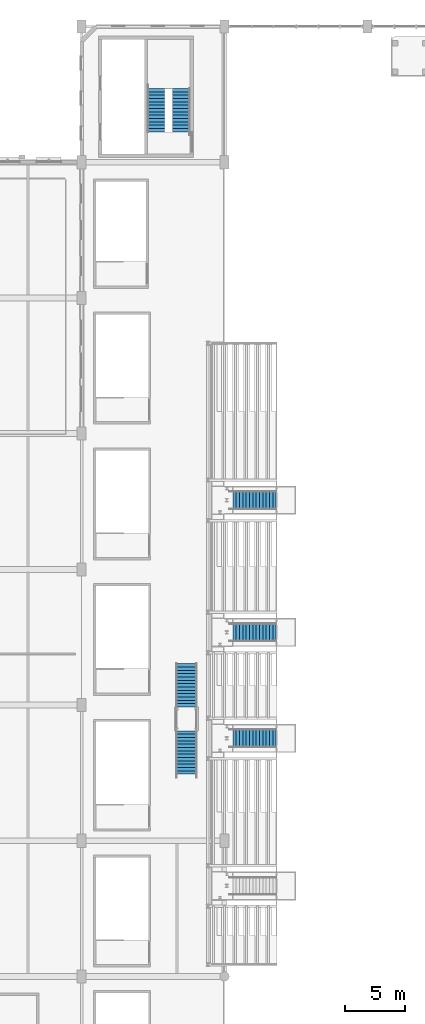
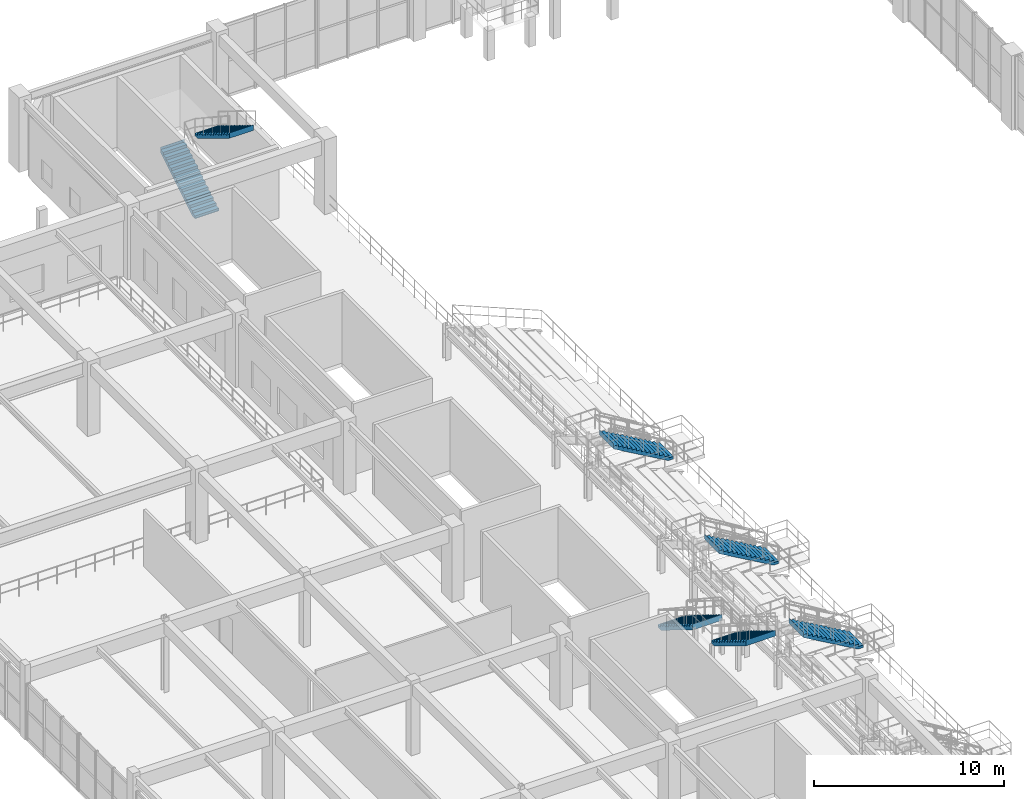
# One storey, part 90 of 106: 7 stair flights, 5 elements without a shape of their own.
"""IFC4 building model written with IfcOpenShell, lengths in metres."""

from ifc_helpers import new_model, si_unit, direction, frame, origin, place, context, subcontext, project, spatial, polyline, outline, extrude, material, type_object, element, aggregate, save


model = new_model("IFC4")

# Units and contexts
model_context = context("Model", 3, precision=1e-05, world=origin(), true_north=direction((0.0, 1.0)))
body_context = subcontext(model_context, "Body", "Model", "MODEL_VIEW")
ifc_project = project(units=[si_unit("LENGTHUNIT", "METRE"), si_unit("AREAUNIT", "SQUARE_METRE"), si_unit("VOLUMEUNIT", "CUBIC_METRE"), si_unit("PLANEANGLEUNIT", "RADIAN"), si_unit("MASSUNIT", "GRAM", prefix="KILO"), si_unit("POWERUNIT", "WATT"), si_unit("THERMODYNAMICTEMPERATUREUNIT", "KELVIN")], contexts=[model_context])

# Site, building, storey
site_placement = place(None, origin())
site = spatial("IfcSite", under=ifc_project, at=site_placement, CompositionType="ELEMENT")
building_placement = place(site_placement, origin())
building = spatial("IfcBuilding", under=site, at=building_placement, Name="Kelmbourne Parkland Aquatics Centre", CompositionType="ELEMENT")
storey_placement = place(building_placement, frame((0.0, 0.0, 5.39990234375)))
storey = spatial("IfcBuildingStorey", under=building, at=storey_placement, Name="L01", CompositionType="ELEMENT", Elevation=5.39990234375)

# Stair, stair flights
ifc_material = material(Name="Concrete C40/50", Category="concrete")
stair_type_1 = type_object("IfcStairType", Name="ST-FS02", PredefinedType="TWO_STRAIGHT_RUN_STAIR", material=ifc_material)
stair_1_placement = place(storey_placement, origin())
stair_1 = element("IfcStair", 1, at=stair_1_placement, inside=storey, type_object=stair_type_1, Name="Broadcast Gallery Concourse Feature Stair", PredefinedType="TWO_STRAIGHT_RUN_STAIR")
stair_flight_type_1 = type_object("IfcStairFlightType", Name="STF-FS02", PredefinedType="STRAIGHT", material=ifc_material)
stair_flight_1_placement = place(storey_placement, frame((136.800048828125, 61.280029296875, 0.0), z_axis=(0.0, 0.0, 1.0), x_axis=(0.0, -1.0, 0.0)))
stair_flight_1 = element("IfcStairFlight", 2, at=stair_flight_1_placement, type_object=stair_flight_type_1, Name="FS02 lower flight", NumberOfRisers=14, NumberOfTreads=13, PredefinedType="STRAIGHT", RiserHeight=0.171428571, TreadLength=0.28, context=body_context, shape_type="SweptSolid", body=[
    extrude(outline(polyline([(-0.008056640625, 0.0), (-0.008056640625, 0.034912109375), (0.0, 0.034912109375), (0.0, 0.17138671875), (0.280029296875, 0.17138671875), (0.280029296875, 0.3427734375), (0.56005859375, 0.3427734375), (0.56005859375, 0.514404296875), (0.840087890625, 0.514404296875), (0.840087890625, 0.685791015625), (1.1201171875, 0.685791015625), (1.1201171875, 0.857177734375), (1.39990234375, 0.857177734375), (1.39990234375, 1.028564453125), (1.679931640625, 1.028564453125), (1.679931640625, 1.199951171875), (1.9599609375, 1.199951171875), (1.9599609375, 1.371337890625), (2.239990234375, 1.371337890625), (2.239990234375, 1.54296875), (2.52001953125, 1.54296875), (2.52001953125, 1.71435546875), (2.800048828125, 1.71435546875), (2.800048828125, 1.8857421875), (3.080078125, 1.8857421875), (3.080078125, 2.05712890625), (3.360107421875, 2.05712890625), (3.360107421875, 2.228515625), (3.639892578125, 2.228515625), (3.639892578125, 2.39990234375), (3.64794921875, 2.39990234375), (3.64794921875, 2.260009765625), (3.639892578125, 2.017578125), (0.344482421875, 0.0), (-0.008056640625, 0.0)])), frame((0.0, 0.89990234375, 0.0), z_axis=(0.0, -1.0, 0.0), x_axis=(1.0, 0.0, 0.0)), (0.0, 0.0, 1.0), 1.800048828125),
])
stair_flight_2_placement = place(storey_placement, frame((136.800048828125, 55.639892578125, 2.400146484375), z_axis=(0.0, 0.0, 1.0), x_axis=(0.0, -1.0, 0.0)))
stair_flight_2 = element("IfcStairFlight", 3, at=stair_flight_2_placement, type_object=stair_flight_type_1, Name="FS02 upper flight", NumberOfRisers=14, NumberOfTreads=13, PredefinedType="STRAIGHT", RiserHeight=0.171428571, TreadLength=0.28, context=body_context, shape_type="SweptSolid", body=[
    extrude(outline(polyline([(-0.008056640625, 0.0), (-0.008056640625, 0.034912109375), (0.0, 0.034912109375), (0.0, 0.17138671875), (0.280029296875, 0.17138671875), (0.280029296875, 0.3427734375), (0.56005859375, 0.3427734375), (0.56005859375, 0.514404296875), (0.840087890625, 0.514404296875), (0.840087890625, 0.685791015625), (1.1201171875, 0.685791015625), (1.1201171875, 0.857177734375), (1.39990234375, 0.857177734375), (1.39990234375, 1.028564453125), (1.679931640625, 1.028564453125), (1.679931640625, 1.199951171875), (1.9599609375, 1.199951171875), (1.9599609375, 1.371337890625), (2.239990234375, 1.371337890625), (2.239990234375, 1.54296875), (2.52001953125, 1.54296875), (2.52001953125, 1.71435546875), (2.800048828125, 1.71435546875), (2.800048828125, 1.8857421875), (3.080078125, 1.8857421875), (3.080078125, 2.05712890625), (3.360107421875, 2.05712890625), (3.360107421875, 2.228515625), (3.639892578125, 2.228515625), (3.639892578125, 2.39990234375), (3.64794921875, 2.39990234375), (3.64794921875, 2.260009765625), (3.639892578125, 2.017578125), (0.344482421875, 0.0), (-0.008056640625, 0.0)])), frame((0.0, 0.89990234375, 0.0), z_axis=(0.0, -1.0, 0.0), x_axis=(1.0, 0.0, 0.0)), (0.0, 0.0, 1.0), 1.800048828125),
])
aggregate(stair_1, [stair_flight_1, stair_flight_2])

stair_type_2 = type_object("IfcStairType", Name="ST-T17", PredefinedType="HALF_TURN_STAIR", material=ifc_material)
stair_2_placement = place(storey_placement, origin())
stair_2 = element("IfcStair", 4, at=stair_2_placement, inside=storey, type_object=stair_type_2, Name="North Diving Control Fire-Fighting Core Stair ST05 (L01)", PredefinedType="HALF_TURN_STAIR")
stair_flight_type_2 = type_object("IfcStairFlightType", Name="STF-T17", PredefinedType="STRAIGHT", material=ifc_material)
stair_flight_3_placement = place(storey_placement, frame((134.27001953125, 105.949951171875, 0.0), z_axis=(0.0, 0.0, 1.0), x_axis=(0.0, 1.0, 0.0)))
stair_flight_3 = element("IfcStairFlight", 5, at=stair_flight_3_placement, type_object=stair_flight_type_2, Name="North Diving Control Fire-Fighting Core Stair ST05 lower flight (L01)", NumberOfRisers=14, NumberOfTreads=13, PredefinedType="STRAIGHT", RiserHeight=0.171429, TreadLength=0.28, context=body_context, shape_type="SweptSolid", body=[
    extrude(outline(polyline([(-0.008056640625, 0.0), (-0.008056640625, 0.034912109375), (0.0, 0.034912109375), (0.0, 0.17138671875), (0.280029296875, 0.17138671875), (0.280029296875, 0.3427734375), (0.56005859375, 0.3427734375), (0.56005859375, 0.514404296875), (0.840087890625, 0.514404296875), (0.840087890625, 0.685791015625), (1.1201171875, 0.685791015625), (1.1201171875, 0.857177734375), (1.39990234375, 0.857177734375), (1.39990234375, 1.028564453125), (1.679931640625, 1.028564453125), (1.679931640625, 1.199951171875), (1.9599609375, 1.199951171875), (1.9599609375, 1.371337890625), (2.239990234375, 1.371337890625), (2.239990234375, 1.54296875), (2.52001953125, 1.54296875), (2.52001953125, 1.71435546875), (2.800048828125, 1.71435546875), (2.800048828125, 1.8857421875), (3.080078125, 1.8857421875), (3.080078125, 2.05712890625), (3.360107421875, 2.05712890625), (3.360107421875, 2.228515625), (3.639892578125, 2.228515625), (3.639892578125, 2.39990234375), (3.64794921875, 2.39990234375), (3.64794921875, 2.260009765625), (3.639892578125, 2.041015625), (0.30615234375, 0.0), (-0.008056640625, 0.0)])), frame((0.0, 0.72509765625, 0.0), z_axis=(0.0, -1.0, 0.0), x_axis=(1.0, 0.0, 0.0)), (0.0, 0.0, 1.0), 1.449951171875),
])
stair_flight_4_placement = place(storey_placement, frame((136.35498046875, 109.590087890625, 2.400146484375), z_axis=(0.0, 0.0, 1.0), x_axis=(0.0, -1.0, 0.0)))
stair_flight_4 = element("IfcStairFlight", 6, at=stair_flight_4_placement, type_object=stair_flight_type_2, Name="North Diving Control Fire-Fighting Core Stair ST05 upper flight (L01)", NumberOfRisers=14, NumberOfTreads=13, PredefinedType="STRAIGHT", RiserHeight=0.171429, TreadLength=0.28, context=body_context, shape_type="SweptSolid", body=[
    extrude(outline(polyline([(-0.008056640625, 0.0), (-0.008056640625, 0.034912109375), (0.0, 0.034912109375), (0.0, 0.17138671875), (0.280029296875, 0.17138671875), (0.280029296875, 0.3427734375), (0.56005859375, 0.3427734375), (0.56005859375, 0.514404296875), (0.840087890625, 0.514404296875), (0.840087890625, 0.685791015625), (1.1201171875, 0.685791015625), (1.1201171875, 0.857177734375), (1.39990234375, 0.857177734375), (1.39990234375, 1.028564453125), (1.679931640625, 1.028564453125), (1.679931640625, 1.199951171875), (1.9599609375, 1.199951171875), (1.9599609375, 1.371337890625), (2.239990234375, 1.371337890625), (2.239990234375, 1.54296875), (2.52001953125, 1.54296875), (2.52001953125, 1.71435546875), (2.800048828125, 1.71435546875), (2.800048828125, 1.8857421875), (3.080078125, 1.8857421875), (3.080078125, 2.05712890625), (3.360107421875, 2.05712890625), (3.360107421875, 2.228515625), (3.639892578125, 2.228515625), (3.639892578125, 2.39990234375), (3.64794921875, 2.39990234375), (3.64794921875, 2.260009765625), (3.639892578125, 2.041015625), (0.30615234375, 0.0), (-0.008056640625, 0.0)])), frame((0.0, 0.72509765625, 0.0), z_axis=(0.0, -1.0, 0.0), x_axis=(1.0, 0.0, 0.0)), (0.0, 0.0, 1.0), 1.449951171875),
])
aggregate(stair_2, [stair_flight_3, stair_flight_4])

# Stair, stair flight
stair_type_3 = type_object("IfcStairType", Name="ST-VM02", PredefinedType="STRAIGHT_RUN_STAIR", material=ifc_material)
stair_3_placement = place(storey_placement, origin())
stair_3 = element("IfcStair", 7, at=stair_3_placement, inside=storey, type_object=stair_type_3, Name="Spectator Vomitory Stair 2", PredefinedType="STRAIGHT_RUN_STAIR")
stair_flight_type_3 = type_object("IfcStairFlightType", Name="STF-VM02", PredefinedType="STRAIGHT", material=ifc_material)
stair_flight_5_placement = place(storey_placement, frame((144.340087890625, 55.0, 0.0), z_axis=(0.0, 0.0, 1.0), x_axis=(-1.0, 0.0, 0.0)))
stair_flight_5 = element("IfcStairFlight", 8, at=stair_flight_5_placement, type_object=stair_flight_type_3, Name="Spectator Vomitory Stair 2 flight", NumberOfRisers=14, NumberOfTreads=13, PredefinedType="STRAIGHT", RiserHeight=0.160714, TreadLength=0.28, context=body_context, shape_type="SweptSolid", body=[
    extrude(outline(polyline([(-0.008056640625, 0.0), (-0.008056640625, 0.034912109375), (0.0, 0.034912109375), (0.0, 0.16064453125), (0.280029296875, 0.16064453125), (0.280029296875, 0.321533203125), (0.56005859375, 0.321533203125), (0.56005859375, 0.482177734375), (0.840087890625, 0.482177734375), (0.840087890625, 0.642822265625), (1.1201171875, 0.642822265625), (1.1201171875, 0.803466796875), (1.39990234375, 0.803466796875), (1.39990234375, 0.96435546875), (1.679931640625, 0.96435546875), (1.679931640625, 1.125), (1.9599609375, 1.125), (1.9599609375, 1.28564453125), (2.239990234375, 1.28564453125), (2.239990234375, 1.446533203125), (2.52001953125, 1.446533203125), (2.52001953125, 1.607177734375), (2.800048828125, 1.607177734375), (2.800048828125, 1.767822265625), (3.080078125, 1.767822265625), (3.080078125, 1.928466796875), (3.360107421875, 1.928466796875), (3.360107421875, 2.08935546875), (3.639892578125, 2.08935546875), (3.639892578125, 2.25), (3.64794921875, 2.25), (3.64794921875, 2.110107421875), (3.639892578125, 1.90478515625), (0.3212890625, 0.0), (-0.008056640625, 0.0)])), frame((0.0, 0.75, 0.0), z_axis=(0.0, -1.0, 0.0), x_axis=(1.0, 0.0, 0.0)), (0.0, 0.0, 1.0), 1.5),
])
aggregate(stair_3, [stair_flight_5])

stair_type_4 = type_object("IfcStairType", Name="ST-VM03", PredefinedType="STRAIGHT_RUN_STAIR", material=ifc_material)
stair_4_placement = place(storey_placement, origin())
stair_4 = element("IfcStair", 9, at=stair_4_placement, inside=storey, type_object=stair_type_4, Name="Spectator Vomitory Stair 3", PredefinedType="STRAIGHT_RUN_STAIR")
stair_flight_type_4 = type_object("IfcStairFlightType", Name="STF-VM03", PredefinedType="STRAIGHT", material=ifc_material)
stair_flight_6_placement = place(storey_placement, frame((144.340087890625, 63.89990234375, 0.0), z_axis=(0.0, 0.0, 1.0), x_axis=(-1.0, 0.0, 0.0)))
stair_flight_6 = element("IfcStairFlight", 10, at=stair_flight_6_placement, type_object=stair_flight_type_4, Name="Spectator Vomitory Stair 3 flight", NumberOfRisers=14, NumberOfTreads=13, PredefinedType="STRAIGHT", RiserHeight=0.160714, TreadLength=0.28, context=body_context, shape_type="SweptSolid", body=[
    extrude(outline(polyline([(-0.008056640625, 0.0), (-0.008056640625, 0.034912109375), (0.0, 0.034912109375), (0.0, 0.16064453125), (0.280029296875, 0.16064453125), (0.280029296875, 0.321533203125), (0.56005859375, 0.321533203125), (0.56005859375, 0.482177734375), (0.840087890625, 0.482177734375), (0.840087890625, 0.642822265625), (1.1201171875, 0.642822265625), (1.1201171875, 0.803466796875), (1.39990234375, 0.803466796875), (1.39990234375, 0.96435546875), (1.679931640625, 0.96435546875), (1.679931640625, 1.125), (1.9599609375, 1.125), (1.9599609375, 1.28564453125), (2.239990234375, 1.28564453125), (2.239990234375, 1.446533203125), (2.52001953125, 1.446533203125), (2.52001953125, 1.607177734375), (2.800048828125, 1.607177734375), (2.800048828125, 1.767822265625), (3.080078125, 1.767822265625), (3.080078125, 1.928466796875), (3.360107421875, 1.928466796875), (3.360107421875, 2.08935546875), (3.639892578125, 2.08935546875), (3.639892578125, 2.25), (3.64794921875, 2.25), (3.64794921875, 2.110107421875), (3.639892578125, 1.90478515625), (0.3212890625, 0.0), (-0.008056640625, 0.0)])), frame((0.0, 0.75, 0.0), z_axis=(0.0, -1.0, 0.0), x_axis=(1.0, 0.0, 0.0)), (0.0, 0.0, 1.0), 1.5),
])
aggregate(stair_4, [stair_flight_6])

stair_type_5 = type_object("IfcStairType", Name="ST-VM04", PredefinedType="STRAIGHT_RUN_STAIR", material=ifc_material)
stair_5_placement = place(storey_placement, origin())
stair_5 = element("IfcStair", 11, at=stair_5_placement, inside=storey, type_object=stair_type_5, Name="Spectator Vomitory Stair 4", PredefinedType="STRAIGHT_RUN_STAIR")
stair_flight_type_5 = type_object("IfcStairFlightType", Name="STF-VM04", PredefinedType="STRAIGHT", material=ifc_material)
stair_flight_7_placement = place(storey_placement, frame((144.340087890625, 75.0, 0.0), z_axis=(0.0, 0.0, 1.0), x_axis=(-1.0, 0.0, 0.0)))
stair_flight_7 = element("IfcStairFlight", 12, at=stair_flight_7_placement, type_object=stair_flight_type_5, Name="Spectator Vomitory Stair 4 flight", NumberOfRisers=14, NumberOfTreads=13, PredefinedType="STRAIGHT", RiserHeight=0.160714, TreadLength=0.28, context=body_context, shape_type="SweptSolid", body=[
    extrude(outline(polyline([(-0.008056640625, 0.0), (-0.008056640625, 0.034912109375), (0.0, 0.034912109375), (0.0, 0.16064453125), (0.280029296875, 0.16064453125), (0.280029296875, 0.321533203125), (0.56005859375, 0.321533203125), (0.56005859375, 0.482177734375), (0.840087890625, 0.482177734375), (0.840087890625, 0.642822265625), (1.1201171875, 0.642822265625), (1.1201171875, 0.803466796875), (1.39990234375, 0.803466796875), (1.39990234375, 0.96435546875), (1.679931640625, 0.96435546875), (1.679931640625, 1.125), (1.9599609375, 1.125), (1.9599609375, 1.28564453125), (2.239990234375, 1.28564453125), (2.239990234375, 1.446533203125), (2.52001953125, 1.446533203125), (2.52001953125, 1.607177734375), (2.800048828125, 1.607177734375), (2.800048828125, 1.767822265625), (3.080078125, 1.767822265625), (3.080078125, 1.928466796875), (3.360107421875, 1.928466796875), (3.360107421875, 2.08935546875), (3.639892578125, 2.08935546875), (3.639892578125, 2.25), (3.64794921875, 2.25), (3.64794921875, 2.110107421875), (3.639892578125, 1.90478515625), (0.3212890625, 0.0), (-0.008056640625, 0.0)])), frame((0.0, 0.75, 0.0), z_axis=(0.0, -1.0, 0.0), x_axis=(1.0, 0.0, 0.0)), (0.0, 0.0, 1.0), 1.5),
])
aggregate(stair_5, [stair_flight_7])

save(model, "model.ifc")
